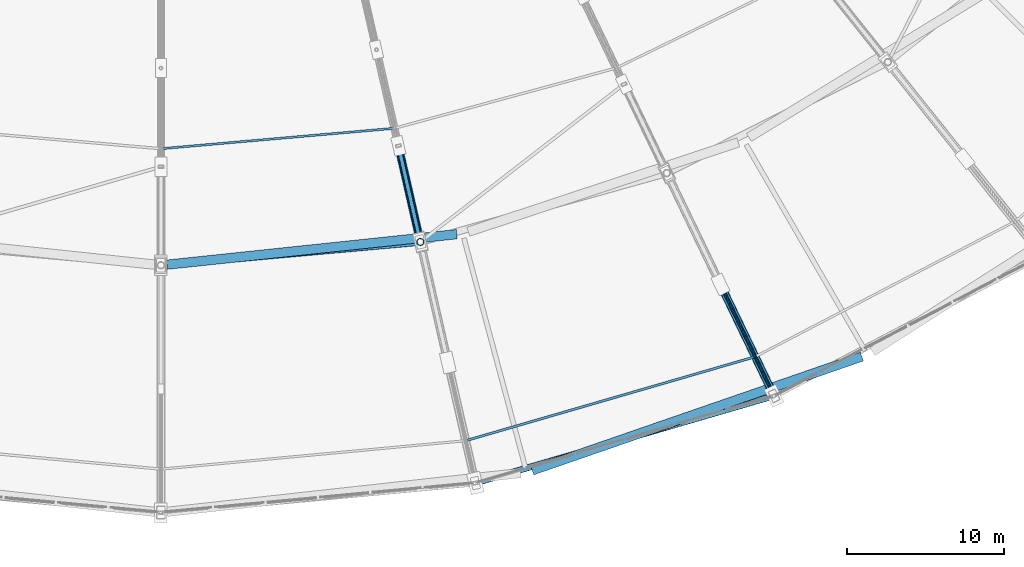
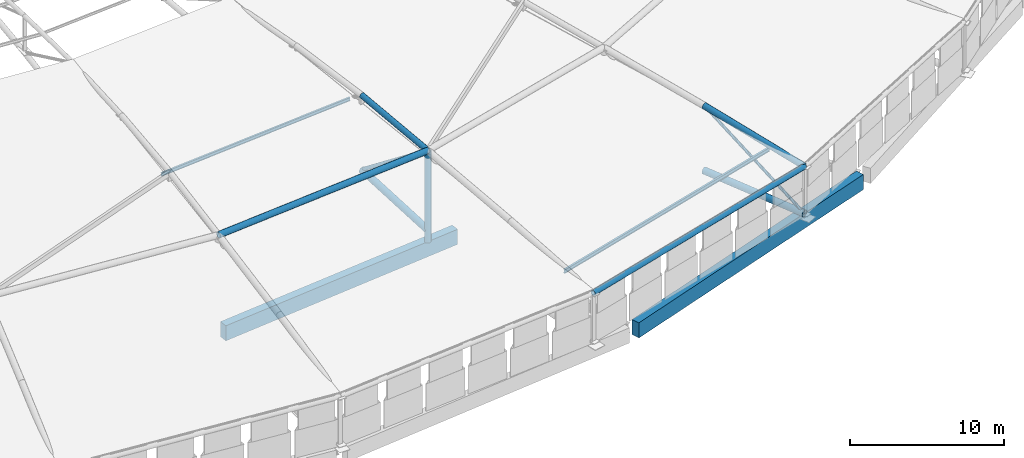
# One storey, part 17 of 108: 11 members, 2 beams.
"""IFC4 building model written with IfcOpenShell, lengths in metres."""

from ifc_helpers import new_model, si_unit, direction, frame, origin, origin_2d, place, context, subcontext, project, spatial, rectangle, hollow_circle, i_section, extrude, material, material_profile, profile_set, type_object, element, save


model = new_model("IFC4")

# Units and contexts
model_context = context("Model", 3, precision=1e-05, world=origin(), true_north=direction((0.0, 1.0)))
body_context = subcontext(model_context, "Body", "Model", "MODEL_VIEW")
ifc_project = project(units=[si_unit("LENGTHUNIT", "METRE"), si_unit("AREAUNIT", "SQUARE_METRE"), si_unit("VOLUMEUNIT", "CUBIC_METRE"), si_unit("PLANEANGLEUNIT", "RADIAN"), si_unit("MASSUNIT", "GRAM", prefix="KILO")], contexts=[model_context])

# Site, building, storey
site_placement = place(None, origin())
site = spatial("IfcSite", under=ifc_project, at=site_placement, CompositionType="ELEMENT")
building_placement = place(site_placement, origin())
building = spatial("IfcBuilding", under=site, at=building_placement, Name="Zevraka Park Crest Stadium", CompositionType="ELEMENT")
storey_placement = place(building_placement, frame((0.0, 0.0, 29.39990234375)))
storey = spatial("IfcBuildingStorey", under=building, at=storey_placement, Name="RF", CompositionType="ELEMENT", Elevation=29.39990234375)

# Members
ifc_material_1 = material(Name="Steel S355", Category="steel")
ifc_material_profile_1 = material_profile(ifc_material_1, i_section(OverallWidth=0.14990234375, OverallDepth=0.300048828125, WebThickness=0.007080078125, FlangeThickness=0.0107421875, at=origin_2d()), Name="IPE 300")
ifc_profile_set_1 = profile_set([ifc_material_profile_1], Name="Steel S355")
member_type_1 = type_object("IfcMemberType", Name="PR02", PredefinedType="PURLIN", material=ifc_profile_set_1)
member_1_placement = place(storey_placement, frame((131.47607421875, 21.2939453125, 4.287109375), z_axis=(0.960442835387, 0.27847721622, 0.0), x_axis=(-0.27847721622, 0.960442835387, 0.0)))
element("IfcMember", 1, at=member_1_placement, inside=storey, type_object=member_type_1, Name="Canopy Roof Purlin PR02 OUTER-23-1", PredefinedType="PURLIN", context=body_context, shape_type="SweptSolid", body=[
    extrude(i_section(OverallWidth=0.14990234375, OverallDepth=0.300048828125, WebThickness=0.007080078125, FlangeThickness=0.0107421875, at=origin_2d()), origin(), (0.0, 0.0, 1.0), 19.261962890625),
])
ifc_material_2 = material(Name="Steel S355", Category="steel")
ifc_material_profile_2 = material_profile(ifc_material_2, i_section(OverallWidth=0.135009765625, OverallDepth=0.27001953125, WebThickness=0.006591796875, FlangeThickness=0.01025390625, at=origin_2d()), Name="IPE 270")
ifc_profile_set_2 = profile_set([ifc_material_profile_2], Name="Steel S355")
member_type_2 = type_object("IfcMemberType", Name="PR04", PredefinedType="PURLIN", material=ifc_profile_set_2)
member_2_placement = place(storey_placement, frame((112.0, 39.948974609375, 7.488037109375), z_axis=(0.996196972485, 0.087129742406, 0.0), x_axis=(-0.087129742406, 0.996196972485, 0.0)))
element("IfcMember", 2, at=member_2_placement, inside=storey, type_object=member_type_2, Name="Canopy Roof Purlin PR04 OUTER-22-2", PredefinedType="PURLIN", context=body_context, shape_type="SweptSolid", body=[
    extrude(i_section(OverallWidth=0.135009765625, OverallDepth=0.27001953125, WebThickness=0.006591796875, FlangeThickness=0.01025390625, at=origin_2d()), origin(), (0.0, 0.0, 1.0), 14.976806640625),
])

# Beams
ifc_material_3 = material(Name="Concrete C40/50", Category="concrete")
ifc_material_profile_3 = material_profile(ifc_material_3, rectangle(XDim=0.60009765625, YDim=1.199951171875, at=origin_2d()), Name="RC 1200x600")
ifc_profile_set_3 = profile_set([ifc_material_profile_3], Name="Concrete C40/50")
beam_type = type_object("IfcBeamType", Name="RB01", PredefinedType="BEAM", material=ifc_profile_set_3)
beam_1_placement = place(storey_placement, frame((112.3779296875, 32.5400390625, -0.599853515625), z_axis=(0.994522746434, 0.1045203656, 0.0), x_axis=(-0.1045203656, 0.994522746434, 0.0)))
element("IfcBeam", 3, at=beam_1_placement, inside=storey, type_object=beam_type, Name="Ring Beam RB01 RF-B-18", PredefinedType="BEAM", context=body_context, shape_type="SweptSolid", body=[
    extrude(rectangle(XDim=0.60009765625, YDim=1.199951171875, at=origin_2d()), origin(), (0.0, 0.0, 1.0), 18.628173828125),
])
beam_2_placement = place(storey_placement, frame((135.72998046875, 19.389892578125, -0.599853515625), z_axis=(0.945210431582, 0.326461697644, 0.0), x_axis=(-0.326461697644, 0.945210431582, 0.0)))
element("IfcBeam", 4, at=beam_2_placement, inside=storey, type_object=beam_type, Name="Ring Beam RB01 RF-D-19", PredefinedType="BEAM", context=body_context, shape_type="SweptSolid", body=[
    extrude(rectangle(XDim=0.60009765625, YDim=1.199951171875, at=origin_2d()), origin(), (0.0, 0.0, 1.0), 22.28173828125),
])

# Members
ifc_material_4 = material(Name="Steel S355", Category="steel")
ifc_material_profile_4 = material_profile(ifc_material_4, hollow_circle(Radius=0.25390625, WallThickness=0.030029296875, at=origin_2d()), Name="CHS 508.0x30")
ifc_profile_set_4 = profile_set([ifc_material_profile_4], Name="Steel S355")
member_type_3 = type_object("IfcMemberType", Name="TC01", PredefinedType="CHORD", material=ifc_profile_set_4)
member_3_placement = place(storey_placement, frame((128.577880859375, 33.991943359375, 0.900146484375), z_axis=(-0.216071602528, 0.946696164472, 0.238913027595), x_axis=(-0.974929167571, -0.222515433667, 0.0)))
element("IfcMember", 5, at=member_3_placement, inside=storey, type_object=member_type_3, Name="Roof Truss Bottom Chord TC01 T23-3", PredefinedType="CHORD", context=body_context, shape_type="SweptSolid", body=[
    extrude(hollow_circle(Radius=0.25390625, WallThickness=0.030029296875, at=origin_2d()), origin(), (0.0, 0.0, 1.0), 6.488037109375),
])
member_4_placement = place(storey_placement, frame((151.179931640625, 24.156982421875, 0.25), z_axis=(-0.433588503654, 0.90031143252, 0.037951732141), x_axis=(-0.90096050834, -0.4339010975, 0.0)))
element("IfcMember", 6, at=member_4_placement, inside=storey, type_object=member_type_3, Name="Roof Truss Bottom Chord TC01 T24-1", PredefinedType="CHORD", context=body_context, shape_type="SweptSolid", body=[
    extrude(hollow_circle(Radius=0.25390625, WallThickness=0.030029296875, at=origin_2d()), origin(), (0.0, 0.0, 1.0), 7.906005859375),
])
ifc_material_5 = material(Name="Steel S355", Category="steel")
ifc_material_profile_5 = material_profile(ifc_material_5, hollow_circle(Radius=0.228515625, WallThickness=0.02490234375, at=origin_2d()), Name="CHS 457.0x25")
ifc_profile_set_5 = profile_set([ifc_material_profile_5], Name="Steel S355")
member_type_4 = type_object("IfcMemberType", Name="TC02", PredefinedType="CHORD", material=ifc_profile_set_5)
member_5_placement = place(storey_placement, frame((128.577880859375, 33.991943359375, 0.0), z_axis=(0.0, 0.0, 1.0), x_axis=(-0.222569549971, 0.974916814618, 0.0)))
element("IfcMember", 7, at=member_5_placement, inside=storey, type_object=member_type_4, Name="Roof Truss Anchor Strut TC02 T23-2", PredefinedType="CHORD", context=body_context, shape_type="SweptSolid", body=[
    extrude(hollow_circle(Radius=0.228515625, WallThickness=0.02490234375, at=origin_2d()), origin(), (0.0, 0.0, 1.0), 7.2001953125),
])
member_6_placement = place(storey_placement, frame((151.179931640625, 24.156982421875, 4.0), z_axis=(-0.424189522612, 0.880795209155, 0.210387852394), x_axis=(-0.90096050834, -0.4339010975, 0.0)))
element("IfcMember", 8, at=member_6_placement, inside=storey, type_object=member_type_4, Name="Roof Truss Top Chord TC02 T24-1", PredefinedType="CHORD", context=body_context, shape_type="SweptSolid", body=[
    extrude(hollow_circle(Radius=0.228515625, WallThickness=0.02490234375, at=origin_2d()), origin(), (0.0, 0.0, 1.0), 8.081298828125),
])
member_7_placement = place(storey_placement, frame((112.0, 32.5, 7.2001953125), z_axis=(0.995974792395, 0.089633771061, 0.0), x_axis=(-0.089633771061, 0.995974792395, 0.0)))
element("IfcMember", 9, at=member_7_placement, inside=storey, type_object=member_type_4, Name="Roof Main Bowl-Rim Ring Chord TC02 22", PredefinedType="CHORD", context=body_context, shape_type="SweptSolid", body=[
    extrude(hollow_circle(Radius=0.228515625, WallThickness=0.02490234375, at=origin_2d()), origin(), (0.0, 0.0, 1.0), 16.644775390625),
])
ifc_material_6 = material(Name="Steel S355", Category="steel")
ifc_material_profile_6 = material_profile(ifc_material_6, hollow_circle(Radius=0.203125, WallThickness=0.02001953125, at=origin_2d()), Name="CHS 406.4x20")
ifc_profile_set_6 = profile_set([ifc_material_profile_6], Name="Steel S355")
member_type_5 = type_object("IfcMemberType", Name="TC03", PredefinedType="CHORD", material=ifc_profile_set_6)
member_8_placement = place(storey_placement, frame((128.577880859375, 33.991943359375, 7.2001953125), z_axis=(-0.21889903057, 0.959084258287, 0.179556676069), x_axis=(-0.974929167571, -0.222515433667, 0.0)))
element("IfcMember", 10, at=member_8_placement, inside=storey, type_object=member_type_5, Name="Roof Truss Top Chord TC03 T23-3", PredefinedType="CHORD", context=body_context, shape_type="SweptSolid", body=[
    extrude(hollow_circle(Radius=0.203125, WallThickness=0.02001953125, at=origin_2d()), origin(), (0.0, 0.0, 1.0), 6.404052734375),
])
member_9_placement = place(storey_placement, frame((132.093994140625, 18.587890625, 4.0), z_axis=(0.959968086518, 0.280109394463, 0.0), x_axis=(-0.280109394463, 0.959968086518, 0.0)))
element("IfcMember", 11, at=member_9_placement, inside=storey, type_object=member_type_5, Name="Roof Outer Canopy Ring Chord TC03 23", PredefinedType="CHORD", context=body_context, shape_type="SweptSolid", body=[
    extrude(hollow_circle(Radius=0.203125, WallThickness=0.02001953125, at=origin_2d()), origin(), (0.0, 0.0, 1.0), 19.8818359375),
])
ifc_material_7 = material(Name="Steel S355", Category="steel")
ifc_material_profile_7 = material_profile(ifc_material_7, hollow_circle(Radius=0.136474609375, WallThickness=0.012451171875, at=origin_2d()), Name="CHS 273.0x12.5")
ifc_profile_set_7 = profile_set([ifc_material_profile_7], Name="Steel S355")
member_type_6 = type_object("IfcMemberType", Name="WB01", PredefinedType="BRACE", material=ifc_profile_set_7)
member_10_placement = place(storey_placement, frame((127.176025390625, 40.134033203125, 2.4501953125), z_axis=(0.177673727956, -0.778459708798, 0.602023694029), x_axis=(0.974929167571, 0.222515433667, 0.0)))
element("IfcMember", 12, at=member_10_placement, inside=storey, type_object=member_type_6, Name="Roof Truss Web Diagonal WB01 T23-3", PredefinedType="BRACE", context=body_context, shape_type="SweptSolid", body=[
    extrude(hollow_circle(Radius=0.136474609375, WallThickness=0.012451171875, at=origin_2d()), origin(), (0.0, 0.0, 1.0), 7.89013671875),
])
ifc_material_8 = material(Name="Steel S355", Category="steel")
ifc_material_profile_8 = material_profile(ifc_material_8, hollow_circle(Radius=0.109619140625, WallThickness=0.010009765625, at=origin_2d()), Name="CHS 219.1x10")
ifc_profile_set_8 = profile_set([ifc_material_profile_8], Name="Steel S355")
member_type_7 = type_object("IfcMemberType", Name="WB02", PredefinedType="BRACE", material=ifc_profile_set_8)
member_11_placement = place(storey_placement, frame((151.179931640625, 24.156982421875, 0.25), z_axis=(-0.357157740479, 0.741609139212, 0.567850537601), x_axis=(-0.90096050834, -0.4339010975, 0.0)))
element("IfcMember", 13, at=member_11_placement, inside=storey, type_object=member_type_7, Name="Roof Truss Web Diagonal WB02 T24-1", PredefinedType="BRACE", context=body_context, shape_type="SweptSolid", body=[
    extrude(hollow_circle(Radius=0.109619140625, WallThickness=0.010009765625, at=origin_2d()), origin(), (0.0, 0.0, 1.0), 9.597900390625),
])

save(model, "model.ifc")
